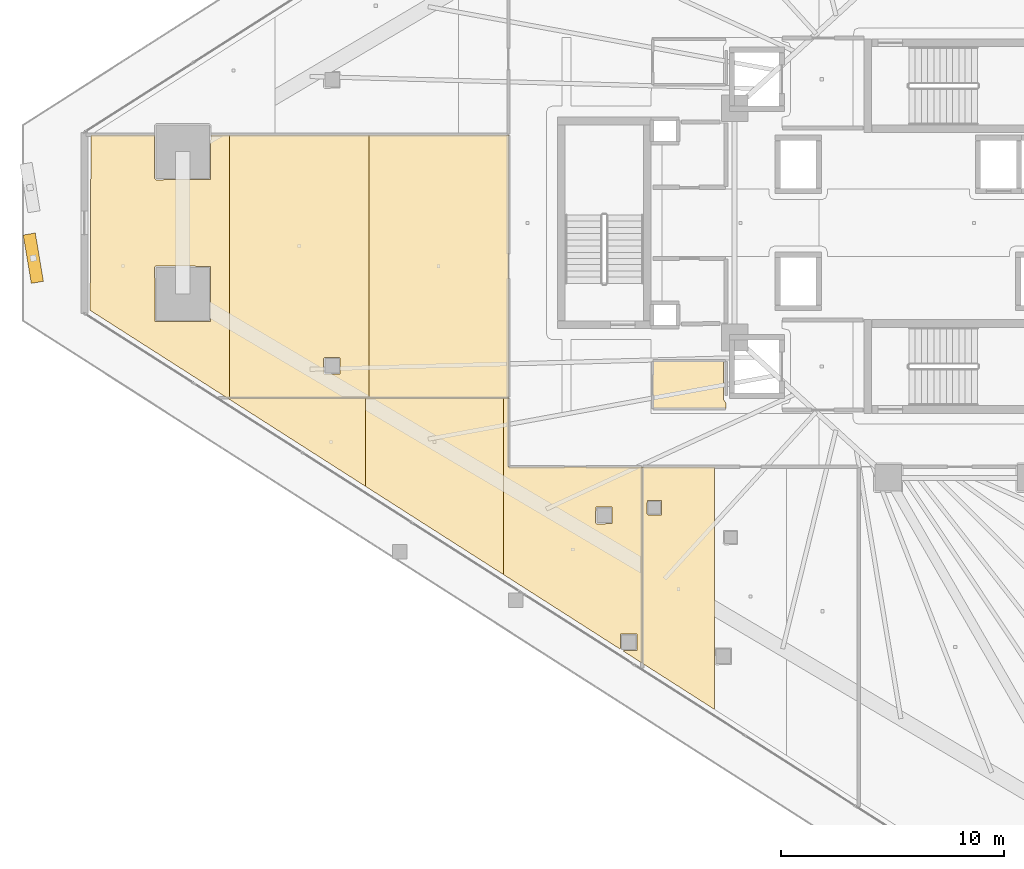
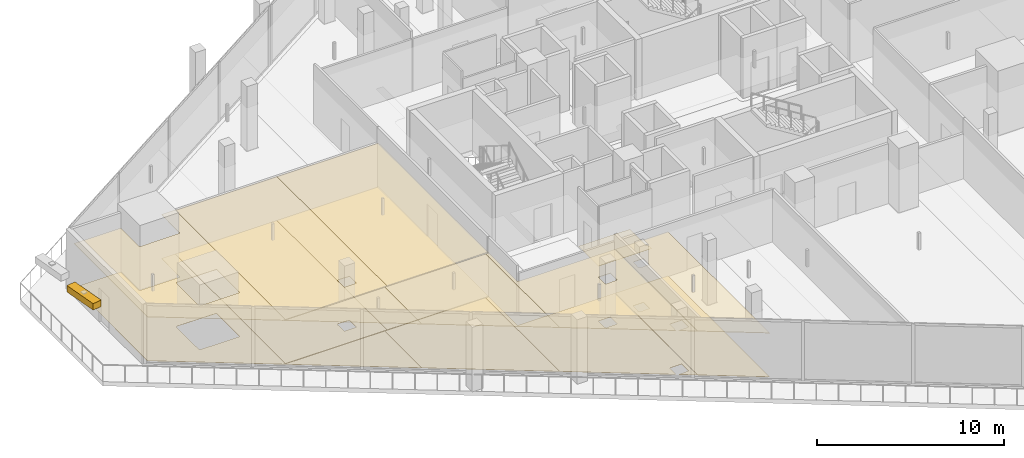
# One storey, part 37 of 45: 15 coverings, 1 shading device.
"""IFC4 building model written with IfcOpenShell, lengths in metres."""

from ifc_helpers import new_model, si_unit, direction, frame, origin, origin_2d, place, context, subcontext, project, spatial, polyline, rectangle, outline, extrude, material, layer, layer_set, type_object, element, save


model = new_model("IFC4")

# Units and contexts
model_context = context("Model", 3, precision=1e-05, world=origin(), true_north=direction((0.0, 1.0)))
body_context = subcontext(model_context, "Body", "Model", "MODEL_VIEW")
ifc_project = project(units=[si_unit("LENGTHUNIT", "METRE"), si_unit("AREAUNIT", "SQUARE_METRE"), si_unit("VOLUMEUNIT", "CUBIC_METRE"), si_unit("PLANEANGLEUNIT", "RADIAN"), si_unit("MASSUNIT", "GRAM", prefix="KILO")], contexts=[model_context])

# Site, building, storey
site_placement = place(None, origin())
site = spatial("IfcSite", under=ifc_project, at=site_placement, CompositionType="ELEMENT")
building_placement = place(site_placement, origin())
building = spatial("IfcBuilding", under=site, at=building_placement, Name="Qorvath Tower", CompositionType="ELEMENT")
storey_placement = place(building_placement, frame((0.0, 0.0, 66.0)))
storey = spatial("IfcBuildingStorey", under=building, at=storey_placement, Name="L14", CompositionType="ELEMENT", Elevation=66.0)

# Coverings
ifc_material_1 = material(Name="Acoustic mineral fibre ceiling tile", Category="gypsum")
ifc_layer_1 = layer(ifc_material_1, 0.030029296875)
ifc_layer_set_1 = layer_set([ifc_layer_1], Name="COV-CEIL")
covering_type_1 = type_object("IfcCoveringType", Name="COV-CEIL", PredefinedType="CEILING", material=ifc_layer_set_1)
covering_1_placement = place(storey_placement, frame((0.0, 0.0, 2.85009765625)))
element("IfcCovering", 1, at=covering_1_placement, inside=storey, type_object=covering_type_1, Name="L14 Suspended Acoustic Ceiling 021", PredefinedType="CEILING", context=body_context, shape_type="SweptSolid", body=[
    extrude(outline(polyline([(-34.64501953125, -10.962890625), (-34.64501953125, -19.77587890625), (-31.40869140625, -21.84423828125), (-31.40869140625, -10.962890625), (-34.64501953125, -10.962890625)]), holes=[polyline([(-34.439208984375, -13.0673828125), (-34.421630859375, -12.47509765625), (-33.786865234375, -12.47509765625), (-33.786865234375, -13.10986328125), (-34.379150390625, -13.12744140625), (-34.439208984375, -13.0673828125)])]), origin(), (0.0, 0.0, 1.0), 0.030029296875),
])
covering_2_placement = place(storey_placement, frame((0.0, 0.0, 2.85009765625)))
element("IfcCovering", 2, at=covering_2_placement, inside=storey, type_object=covering_type_1, Name="L14 Suspended Acoustic Ceiling 036", PredefinedType="CEILING", context=body_context, shape_type="SweptSolid", body=[
    extrude(outline(polyline([(-47.077880859375, -11.82958984375), (-47.077880859375, -7.862060546875), (-53.285400390625, -7.862060546875), (-47.077880859375, -11.82958984375)])), origin(), (0.0, 0.0, 1.0), 0.030029296875),
])
covering_3_placement = place(storey_placement, frame((0.0, 0.0, 2.85009765625)))
element("IfcCovering", 3, at=covering_3_placement, inside=storey, type_object=covering_type_1, Name="L14 Suspended Acoustic Ceiling 037", PredefinedType="CEILING", context=body_context, shape_type="SweptSolid", body=[
    extrude(outline(polyline([(-40.870361328125, -15.796875), (-40.870361328125, -7.862060546875), (-47.077880859375, -7.862060546875), (-47.077880859375, -11.82958984375), (-40.870361328125, -15.796875)])), origin(), (0.0, 0.0, 1.0), 0.030029296875),
])
covering_4_placement = place(storey_placement, frame((0.0, 0.0, 2.85009765625)))
element("IfcCovering", 4, at=covering_4_placement, inside=storey, type_object=covering_type_1, Name="L14 Suspended Acoustic Ceiling 038", PredefinedType="CEILING", context=body_context, shape_type="SweptSolid", body=[
    extrude(outline(polyline([(-40.6630859375, -7.862060546875), (-40.870361328125, -7.862060546875), (-40.870361328125, -15.796875), (-35.63671875, -19.141845703125), (-35.619140625, -18.4619140625), (-34.88427734375, -18.4619140625), (-34.88427734375, -19.19677734375), (-35.5234375, -19.21435546875), (-34.6630859375, -19.764404296875), (-34.6630859375, -10.962890625), (-40.66162109375, -10.96142578125), (-40.6630859375, -7.862060546875)]), holes=[polyline([(-36.749755859375, -13.46044921875), (-36.732177734375, -12.76806640625), (-35.997314453125, -12.76806640625), (-35.997314453125, -13.5029296875), (-36.689697265625, -13.5205078125), (-36.749755859375, -13.46044921875)])]), origin(), (0.0, 0.0, 1.0), 0.030029296875),
])
covering_5_placement = place(storey_placement, frame((0.0, 0.0, 2.85009765625)))
element("IfcCovering", 5, at=covering_5_placement, inside=storey, type_object=covering_type_1, Name="L14 Suspended Acoustic Ceiling 039", PredefinedType="CEILING", context=body_context, shape_type="SweptSolid", body=[
    extrude(outline(polyline([(-59.404052734375, 3.951416015625), (-59.44189453125, -3.92724609375), (-53.3134765625, -7.84423828125), (-53.182373046875, -7.84423828125), (-53.182373046875, 3.951416015625), (-54.02294921875, 3.951416015625), (-54.04052734375, 1.9521484375), (-56.48291015625, 1.9345703125), (-56.54296875, 1.994384765625), (-56.54296875, 3.951416015625), (-59.404052734375, 3.951416015625)]), holes=[polyline([(-56.54296875, -1.994384765625), (-56.48291015625, -1.9345703125), (-54.04052734375, -1.9521484375), (-54.04052734375, -4.43701171875), (-56.525390625, -4.43701171875), (-56.54296875, -1.994384765625)])]), origin(), (0.0, 0.0, 1.0), 0.030029296875),
])
covering_6_placement = place(storey_placement, frame((0.0, 0.0, 2.85009765625)))
element("IfcCovering", 6, at=covering_6_placement, inside=storey, type_object=covering_type_1, Name="L14 Suspended Acoustic Ceiling 040", PredefinedType="CEILING", context=body_context, shape_type="SweptSolid", body=[
    extrude(outline(polyline([(-53.182373046875, 3.951416015625), (-53.182373046875, -7.84423828125), (-46.922607421875, -7.84423828125), (-46.922607421875, 3.951416015625), (-53.182373046875, 3.951416015625)]), holes=[polyline([(-48.96337890625, -6.099609375), (-48.9033203125, -6.03955078125), (-48.2109375, -6.05712890625), (-48.2109375, -6.7919921875), (-48.94580078125, -6.7919921875), (-48.96337890625, -6.099609375)])]), origin(), (0.0, 0.0, 1.0), 0.030029296875),
])
covering_7_placement = place(storey_placement, frame((0.0, 0.0, 2.85009765625)))
element("IfcCovering", 7, at=covering_7_placement, inside=storey, type_object=covering_type_1, Name="L14 Suspended Acoustic Ceiling 041", PredefinedType="CEILING", context=body_context, shape_type="SweptSolid", body=[
    extrude(outline(polyline([(-46.922607421875, 3.951416015625), (-46.922607421875, -7.84423828125), (-40.6630859375, -7.84423828125), (-40.6630859375, 3.951416015625), (-46.922607421875, 3.951416015625)])), origin(), (0.0, 0.0, 1.0), 0.030029296875),
])
ifc_material_2 = material(Name="Low-VOC modular carpet tile", Category="textile")
ifc_layer_2 = layer(ifc_material_2, 0.014892578125)
ifc_layer_set_2 = layer_set([ifc_layer_2], Name="COV-FLOOR-CPT")
covering_type_2 = type_object("IfcCoveringType", Name="COV-FLOOR-CPT", PredefinedType="FLOORING", material=ifc_layer_set_2)
covering_8_placement = place(storey_placement, origin())
element("IfcCovering", 8, at=covering_8_placement, inside=storey, type_object=covering_type_2, Name="L14 Floor Finish 021", PredefinedType="FLOORING", context=body_context, shape_type="SweptSolid", body=[
    extrude(outline(polyline([(-34.64501953125, -10.962890625), (-34.64501953125, -19.77587890625), (-31.40869140625, -21.84423828125), (-31.40869140625, -10.962890625), (-34.64501953125, -10.962890625)]), holes=[polyline([(-34.439208984375, -13.0673828125), (-34.421630859375, -12.47509765625), (-33.786865234375, -12.47509765625), (-33.786865234375, -13.10986328125), (-34.379150390625, -13.12744140625), (-34.439208984375, -13.0673828125)])]), origin(), (0.0, 0.0, 1.0), 0.014892578125),
])
covering_9_placement = place(storey_placement, origin())
element("IfcCovering", 9, at=covering_9_placement, inside=storey, type_object=covering_type_2, Name="L14 Floor Finish 036", PredefinedType="FLOORING", context=body_context, shape_type="SweptSolid", body=[
    extrude(outline(polyline([(-47.077880859375, -11.82958984375), (-47.077880859375, -7.862060546875), (-53.285400390625, -7.862060546875), (-47.077880859375, -11.82958984375)])), origin(), (0.0, 0.0, 1.0), 0.014892578125),
])
covering_10_placement = place(storey_placement, origin())
element("IfcCovering", 10, at=covering_10_placement, inside=storey, type_object=covering_type_2, Name="L14 Floor Finish 037", PredefinedType="FLOORING", context=body_context, shape_type="SweptSolid", body=[
    extrude(outline(polyline([(-40.870361328125, -15.796875), (-40.870361328125, -7.862060546875), (-47.077880859375, -7.862060546875), (-47.077880859375, -11.82958984375), (-40.870361328125, -15.796875)])), origin(), (0.0, 0.0, 1.0), 0.014892578125),
])
covering_11_placement = place(storey_placement, origin())
element("IfcCovering", 11, at=covering_11_placement, inside=storey, type_object=covering_type_2, Name="L14 Floor Finish 038", PredefinedType="FLOORING", context=body_context, shape_type="SweptSolid", body=[
    extrude(outline(polyline([(-40.6630859375, -7.862060546875), (-40.870361328125, -7.862060546875), (-40.870361328125, -15.796875), (-35.63671875, -19.141845703125), (-35.619140625, -18.4619140625), (-34.88427734375, -18.4619140625), (-34.88427734375, -19.19677734375), (-35.5234375, -19.21435546875), (-34.6630859375, -19.764404296875), (-34.6630859375, -10.962890625), (-40.66162109375, -10.96142578125), (-40.6630859375, -7.862060546875)]), holes=[polyline([(-36.749755859375, -13.46044921875), (-36.732177734375, -12.76806640625), (-35.997314453125, -12.76806640625), (-35.997314453125, -13.5029296875), (-36.689697265625, -13.5205078125), (-36.749755859375, -13.46044921875)])]), origin(), (0.0, 0.0, 1.0), 0.014892578125),
])
covering_12_placement = place(storey_placement, origin())
element("IfcCovering", 12, at=covering_12_placement, inside=storey, type_object=covering_type_2, Name="L14 Floor Finish 039", PredefinedType="FLOORING", context=body_context, shape_type="SweptSolid", body=[
    extrude(outline(polyline([(-59.404052734375, 3.951416015625), (-59.44189453125, -3.92724609375), (-53.3134765625, -7.84423828125), (-53.182373046875, -7.84423828125), (-53.182373046875, 3.951416015625), (-54.02294921875, 3.951416015625), (-54.04052734375, 1.9521484375), (-56.48291015625, 1.9345703125), (-56.54296875, 1.994384765625), (-56.54296875, 3.951416015625), (-59.404052734375, 3.951416015625)]), holes=[polyline([(-56.54296875, -1.994384765625), (-56.48291015625, -1.9345703125), (-54.04052734375, -1.9521484375), (-54.04052734375, -4.43701171875), (-56.525390625, -4.43701171875), (-56.54296875, -1.994384765625)])]), origin(), (0.0, 0.0, 1.0), 0.014892578125),
])
covering_13_placement = place(storey_placement, origin())
element("IfcCovering", 13, at=covering_13_placement, inside=storey, type_object=covering_type_2, Name="L14 Floor Finish 040", PredefinedType="FLOORING", context=body_context, shape_type="SweptSolid", body=[
    extrude(outline(polyline([(-53.182373046875, 3.951416015625), (-53.182373046875, -7.84423828125), (-46.922607421875, -7.84423828125), (-46.922607421875, 3.951416015625), (-53.182373046875, 3.951416015625)]), holes=[polyline([(-48.96337890625, -6.099609375), (-48.9033203125, -6.03955078125), (-48.2109375, -6.05712890625), (-48.2109375, -6.7919921875), (-48.94580078125, -6.7919921875), (-48.96337890625, -6.099609375)])]), origin(), (0.0, 0.0, 1.0), 0.014892578125),
])
covering_14_placement = place(storey_placement, origin())
element("IfcCovering", 14, at=covering_14_placement, inside=storey, type_object=covering_type_2, Name="L14 Floor Finish 041", PredefinedType="FLOORING", context=body_context, shape_type="SweptSolid", body=[
    extrude(outline(polyline([(-46.922607421875, 3.951416015625), (-46.922607421875, -7.84423828125), (-40.6630859375, -7.84423828125), (-40.6630859375, 3.951416015625), (-46.922607421875, 3.951416015625)])), origin(), (0.0, 0.0, 1.0), 0.014892578125),
])
ifc_material_3 = material(Name="Polished epoxy terrazzo flooring", Category="concrete")
ifc_layer_3 = layer(ifc_material_3, 0.02001953125)
ifc_layer_set_3 = layer_set([ifc_layer_3], Name="COV-FLOOR-TRZ")
covering_type_3 = type_object("IfcCoveringType", Name="COV-FLOOR-TRZ", PredefinedType="FLOORING", material=ifc_layer_set_3)
covering_15_placement = place(storey_placement, origin())
element("IfcCovering", 15, at=covering_15_placement, inside=storey, type_object=covering_type_3, Name="L14 Floor Finish 005", PredefinedType="FLOORING", context=body_context, shape_type="SweptSolid", body=[
    extrude(outline(polyline([(-30.885009765625, -8.344970703125), (-30.885009765625, -8.108154296875), (-31.010009765625, -7.909912109375), (-31.010009765625, -6.205078125), (-34.175048828125, -6.205078125), (-34.175048828125, -8.344970703125), (-30.885009765625, -8.344970703125)])), origin(), (0.0, 0.0, 1.0), 0.014892578125),
])

# Shading device
ifc_material_4 = material(Name="Anodised bronze-champagne aluminium", Category="aluminium")
shading_device_type = type_object("IfcShadingDeviceType", Name="SD-LOUVRE", PredefinedType="JALOUSIE", material=ifc_material_4)
shading_device_placement = place(storey_placement, frame((-61.992919921875, -1.584228515625, 3.5), z_axis=(0.0, 0.0, 1.0), x_axis=(0.16624041027, -0.986085252903, 0.0)))
element("IfcShadingDevice", 16, at=shading_device_placement, inside=storey, type_object=shading_device_type, Name="Sinusoidal Wave Louvre Blade L14-02", PredefinedType="NOTDEFINED", context=body_context, shape_type="SweptSolid", body=[
    extrude(rectangle(XDim=2.199951171875, YDim=0.550048828125, at=origin_2d()), origin(), (0.0, 0.0, 1.0), 0.419921875),
])

save(model, "model.ifc")
